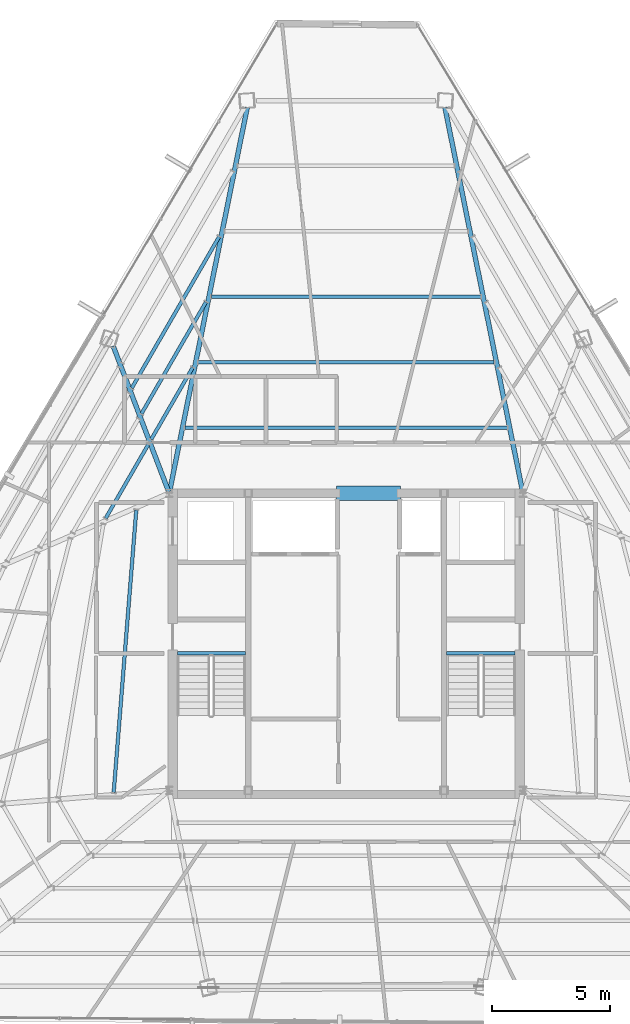
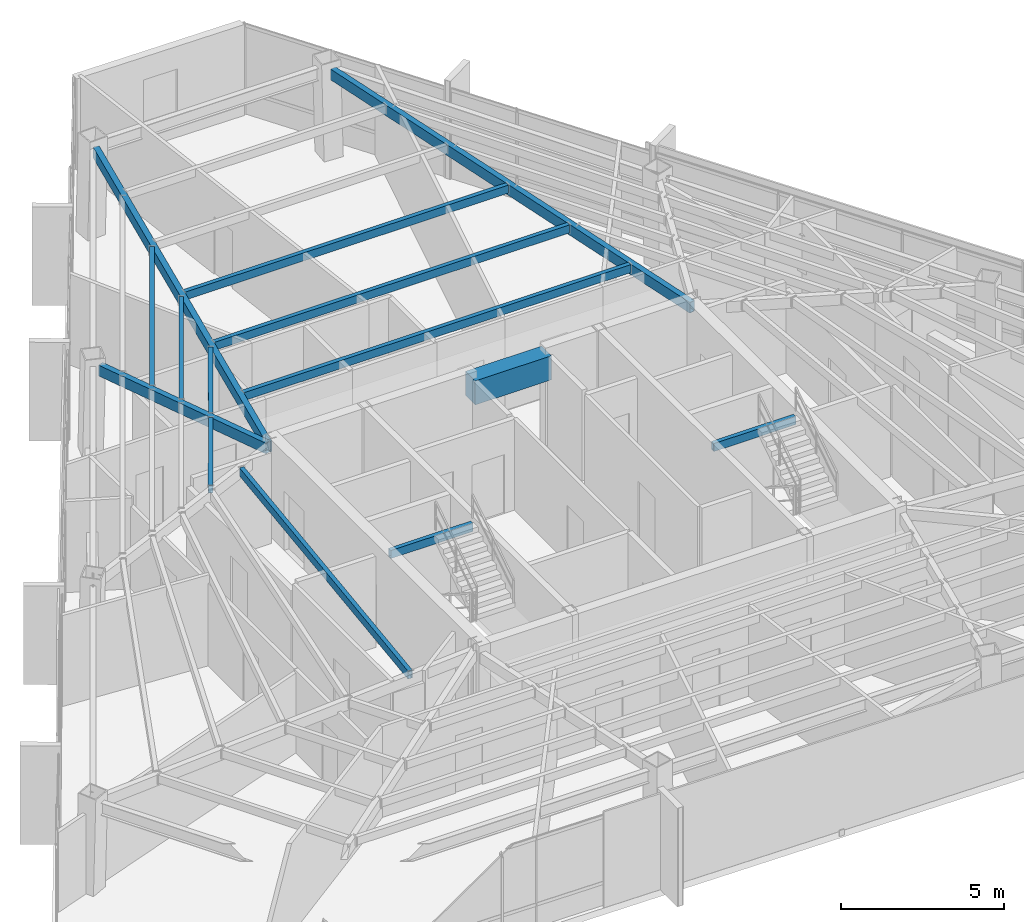
# One storey, part 18 of 45: 14 beams.
"""IFC4 building model written with IfcOpenShell, lengths in metres."""

import ifcopenshell
import ifcopenshell.guid

model = None  # the IFC model being written
_history = None  # IfcOwnerHistory: only IFC2X3 demands one
_inside = {}  # id of a spatial element -> (the spatial element, [elements in it])
_under = {}  # id of a project, library or spatial element -> (it, [spatial elements below it])
_declared = {}  # id of a project -> (the project, [libraries it declares])
_typed = {}  # id of a type object -> (the type object, [elements of that type])
_made_of = {}  # id of a material, layer set ... -> (it, [elements and type objects made of it])


def new_model(schema):
    """Start an empty IFC model of exactly this schema.

    Asked for "IFC4X3", IfcOpenShell would pick the latest addendum, in which some entities
    have other attributes; the version numbers below select the first issue.
    IFC2X3 requires an IfcOwnerHistory on every rooted entity: one is made here for all.
    """
    global model, _history
    if schema == "IFC4X3":
        model = ifcopenshell.file(schema_version=(4, 3, 0, 0))
    else:
        model = ifcopenshell.file(schema=schema)
    _inside.clear()
    _under.clear()
    _declared.clear()
    _typed.clear()
    _made_of.clear()
    _history = None
    if model.schema == "IFC2X3":
        org = make("IfcOrganization", Name="unknown")
        user = make(
            "IfcPersonAndOrganization",
            ThePerson=make("IfcPerson", FamilyName="unknown"),
            TheOrganization=org,
        )
        app = make(
            "IfcApplication",
            ApplicationDeveloper=org,
            Version="unknown",
            ApplicationFullName="unknown",
            ApplicationIdentifier="unknown",
        )
        _history = make(
            "IfcOwnerHistory",
            OwningUser=user,
            OwningApplication=app,
            ChangeAction="ADDED",
            CreationDate=0,
        )
    return model


def make(cls, **values):
    """One entity of the class cls with the attributes given. An attribute that is None is left unset."""
    return model.create_entity(
        cls, **{name: value for name, value in values.items() if value is not None}
    )


def rooted(cls, **values):
    """An entity with a GlobalId (a new one), such as an element, a storey or a relation."""
    return make(cls, GlobalId=ifcopenshell.guid.new(), OwnerHistory=_history, **values)


def si_unit(unit_type, name, prefix=None):
    """IfcSIUnit, for example si_unit("LENGTHUNIT", "METRE", prefix="MILLI")."""
    return make("IfcSIUnit", UnitType=unit_type, Prefix=prefix, Name=name)


def assignment(units):
    """IfcUnitAssignment: the units of a project."""
    return None if units is None else make("IfcUnitAssignment", Units=units)


def point(xyz):
    """IfcCartesianPoint."""
    return None if xyz is None else make("IfcCartesianPoint", Coordinates=xyz)


def direction(xyz):
    """IfcDirection."""
    return None if xyz is None else make("IfcDirection", DirectionRatios=xyz)


def frame(location, z_axis=None, x_axis=None):
    """IfcAxis2Placement3D, a coordinate frame: its origin and axes. An axis left out is left unset."""
    return make(
        "IfcAxis2Placement3D",
        Location=point(location),
        Axis=direction(z_axis),
        RefDirection=direction(x_axis),
    )


def frame_2d(location, x_axis=None):
    """IfcAxis2Placement2D, a coordinate frame in the plane: its origin and x axis."""
    return make(
        "IfcAxis2Placement2D", Location=point(location), RefDirection=direction(x_axis)
    )


def origin():
    """The frame at (0, 0, 0) with its axes left unset."""
    return frame((0.0, 0.0, 0.0))


def origin_2d():
    """The frame at (0, 0) in the plane with its x axis left unset."""
    return frame_2d((0.0, 0.0))


def place(relative_to, where):
    """IfcLocalPlacement: puts the frame where relative to a parent placement (None: the world)."""
    return make(
        "IfcLocalPlacement", PlacementRelTo=relative_to, RelativePlacement=where
    )


def context(
    kind, dimensions, precision=None, world=None, true_north=None, identifier=None
):
    """IfcGeometricRepresentationContext, for example the 3D "Model" context."""
    return make(
        "IfcGeometricRepresentationContext",
        ContextIdentifier=identifier,
        ContextType=kind,
        CoordinateSpaceDimension=dimensions,
        Precision=precision,
        WorldCoordinateSystem=world,
        TrueNorth=true_north,
    )


def subcontext(parent, identifier, kind, view, scale=None):
    """IfcGeometricRepresentationSubContext, for example "Body" below "Model"."""
    return make(
        "IfcGeometricRepresentationSubContext",
        ContextIdentifier=identifier,
        ContextType=kind,
        ParentContext=parent,
        TargetScale=scale,
        TargetView=view,
    )


def project(units=None, contexts=None):
    """IfcProject with its units and contexts."""
    return rooted(
        "IfcProject",
        Name="project",
        RepresentationContexts=contexts,
        UnitsInContext=assignment(units),
    )


def spatial(cls, under=None, at=None, **own):
    """A site, building, storey or space (cls), placed at a placement, below another one or the project."""
    s = rooted(cls, ObjectPlacement=at, **own)
    if under is not None:
        _under.setdefault(under.id(), (under, []))[1].append(s)
    return s


def profile(cls, at=None, kind="AREA", **sizes):
    """A parametric profile (cls). Its sizes go by their IFC names, for example OverallWidth=200.0."""
    return make(cls, ProfileType=kind, Position=at, **sizes)


def rectangle(**sizes):
    """IfcRectangleProfileDef."""
    return profile("IfcRectangleProfileDef", **sizes)


def hollow_rectangle(**sizes):
    """IfcRectangleHollowProfileDef."""
    return profile("IfcRectangleHollowProfileDef", **sizes)


def extrude(swept, where, along, depth):
    """IfcExtrudedAreaSolid: the profile swept, set in the frame where, extruded along a direction by depth."""
    return make(
        "IfcExtrudedAreaSolid",
        SweptArea=swept,
        Position=where,
        ExtrudedDirection=direction(along),
        Depth=depth,
    )


def shape(context_of_items, identifier, shape_type, items):
    """IfcShapeRepresentation: the items that make up one representation, for example the "Body"."""
    return make(
        "IfcShapeRepresentation",
        ContextOfItems=context_of_items,
        RepresentationIdentifier=identifier,
        RepresentationType=shape_type,
        Items=items,
    )


def source(mapping_origin, context_of_items, identifier, shape_type, items):
    """IfcRepresentationMap: a shape defined once, which mapped items show again and again."""
    return make(
        "IfcRepresentationMap",
        MappingOrigin=mapping_origin,
        MappedRepresentation=shape(context_of_items, identifier, shape_type, items),
    )


def transform(
    local_origin,
    x_axis=None,
    y_axis=None,
    z_axis=None,
    scale=None,
    scale2=None,
    scale3=None,
    uniform=True,
):
    """IfcCartesianTransformationOperator3D, or its non-uniform kind. x_axis, y_axis, z_axis: its Axis1, 2, 3."""
    if uniform:
        return make(
            "IfcCartesianTransformationOperator3D",
            Axis1=direction(x_axis),
            Axis2=direction(y_axis),
            LocalOrigin=point(local_origin),
            Scale=scale,
            Axis3=direction(z_axis),
        )
    return make(
        "IfcCartesianTransformationOperator3DnonUniform",
        Axis1=direction(x_axis),
        Axis2=direction(y_axis),
        LocalOrigin=point(local_origin),
        Scale=scale,
        Axis3=direction(z_axis),
        Scale2=scale2,
        Scale3=scale3,
    )


def mapped(mapping_source, mapping_target):
    """IfcMappedItem: shows the shape of a source again, moved by a transform."""
    return make(
        "IfcMappedItem", MappingSource=mapping_source, MappingTarget=mapping_target
    )


def material(Name=None, Category=None):
    """IfcMaterial."""
    return make("IfcMaterial", Name=Name, Category=Category)


def material_profile(
    of_material, cross_section, Name=None, Category=None, Priority=None
):
    """IfcMaterialProfile: a cross section and its material."""
    return make(
        "IfcMaterialProfile",
        Name=Name,
        Material=of_material,
        Profile=cross_section,
        Priority=Priority,
        Category=Category,
    )


def profile_set(profiles, Name=None, composite=None):
    """IfcMaterialProfileSet."""
    return make(
        "IfcMaterialProfileSet",
        Name=Name,
        MaterialProfiles=profiles,
        CompositeProfile=composite,
    )


def made_of(thing, what):
    """Note that an element or type object is made of a material, layer set ...; save() writes the relation."""
    if what is not None:
        _made_of.setdefault(what.id(), (what, []))[1].append(thing)
    return thing


def type_object(cls, material=None, **own):
    """A type object (cls), such as IfcWallType, which elements share."""
    return made_of(rooted(cls, **own), material)


def type_shapes(of_type, sources):
    """Give a type object the sources (RepresentationMaps) that its elements show as mapped items."""
    of_type.RepresentationMaps = sources


def element(
    cls,
    number,
    at=None,
    inside=None,
    cuts=None,
    type_object=None,
    material=None,
    context=None,
    identifier="Body",
    shape_type=None,
    held_by="IfcProductDefinitionShape",
    body=None,
    shapes=None,
    **own,
):
    """One element of the class cls, such as IfcWall. Its Tag is "e" and its number.

    at: its placement. inside: the storey or other place that contains it. cuts: it is an
    opening in that element (IfcRelVoidsElement). A single representation is given by context,
    identifier, shape_type and body (its items); several are given by shapes. held_by: the class
    of the entity that holds the representations. save() writes the other relations.
    """
    e = rooted(cls, Tag="e%d" % number, ObjectPlacement=at, **own)
    if body is not None:
        shapes = [shape(context, identifier, shape_type, body)]
    if shapes is not None:
        e.Representation = make(held_by, Representations=shapes)
    if inside is not None:
        _inside.setdefault(inside.id(), (inside, []))[1].append(e)
    if cuts is not None:
        rooted(
            "IfcRelVoidsElement", RelatingBuildingElement=cuts, RelatedOpeningElement=e
        )
    if type_object is not None:
        _typed.setdefault(type_object.id(), (type_object, []))[1].append(e)
    return made_of(e, material)


def aggregate(whole, parts):
    """IfcRelAggregates: a whole, such as a stair, and the parts it consists of."""
    return rooted("IfcRelAggregates", RelatingObject=whole, RelatedObjects=parts)


def save(model, path):
    """Write the relations noted so far, then the file.

    IfcRelAggregates (storeys below a building ...), IfcRelContainedInSpatialStructure (elements
    in a storey), IfcRelDefinesByType, IfcRelAssociatesMaterial and IfcRelDeclares: one each for
    every whole, place, type object, material and project.
    """
    for whole, parts in _under.values():
        aggregate(whole, parts)
    for where, things in _inside.values():
        rooted(
            "IfcRelContainedInSpatialStructure",
            RelatedElements=things,
            RelatingStructure=where,
        )
    for kind, things in _typed.values():
        rooted("IfcRelDefinesByType", RelatedObjects=things, RelatingType=kind)
    for what, things in _made_of.values():
        rooted("IfcRelAssociatesMaterial", RelatedObjects=things, RelatingMaterial=what)
    for by, libraries in _declared.values():
        rooted("IfcRelDeclares", RelatingContext=by, RelatedDefinitions=libraries)
    model.write(path)


model = new_model("IFC4")

# Units and contexts
model_context = context("Model", 3, precision=1e-05, world=origin(), true_north=direction((0.0, 1.0)))
body_context = subcontext(model_context, "Body", "Model", "MODEL_VIEW")
ifc_project = project(units=[si_unit("LENGTHUNIT", "METRE"), si_unit("AREAUNIT", "SQUARE_METRE"), si_unit("VOLUMEUNIT", "CUBIC_METRE"), si_unit("PLANEANGLEUNIT", "RADIAN"), si_unit("MASSUNIT", "GRAM", prefix="KILO")], contexts=[model_context])

# Site, building, storey
site_placement = place(None, origin())
site = spatial("IfcSite", under=ifc_project, at=site_placement, CompositionType="ELEMENT")
building_placement = place(site_placement, origin())
building = spatial("IfcBuilding", under=site, at=building_placement, Name="Caelisora Broadcast Tower", CompositionType="ELEMENT")
storey_placement = place(building_placement, frame((0.0, 0.0, 240.800048828125)))
storey = spatial("IfcBuildingStorey", under=building, at=storey_placement, Name="L63", CompositionType="ELEMENT", Elevation=240.800048828125)

# Beams
ifc_material_1 = material(Name="Steel Grade 350 (AS/NZS 1163 C350L0)", Category="steel")
ifc_material_profile_1 = material_profile(ifc_material_1, hollow_rectangle(XDim=0.14990234375, YDim=0.300048828125, WallThickness=0.010009765625, at=origin_2d()), Name="Steel Grade 350 (AS/NZS 1163 C350L0)")
ifc_profile_set_1 = profile_set([ifc_material_profile_1], Name="Steel Grade 350 (AS/NZS 1163 C350L0)")
beam_type_1 = type_object("IfcBeamType", Name="SB05", PredefinedType="JOIST", material=ifc_profile_set_1)
shared_shape_1 = source(origin(), body_context, "Body", "SweptSolid", [
    extrude(hollow_rectangle(XDim=0.14990234375, YDim=0.300048828125, WallThickness=0.010009765625, at=origin_2d()), origin(), (0.0, 0.0, 1.0), 2.89990234375),
])
for number, where, z_axis, x_axis, name in (
    (1, (30.840087890625, 23.219970703125, 3.25), (1.0, 0.0, 0.0), (0.0, 1.0, 0.0), "L63 beam SB05"),
    (2, (42.260009765625, 23.219970703125, 3.25), (1.0, 0.0, 0.0), (0.0, 1.0, 0.0), "L63 beam SB05"),
):
    element("IfcBeam", number, at=place(storey_placement, frame(where, z_axis=z_axis, x_axis=x_axis)), inside=storey, type_object=beam_type_1, Name=name, PredefinedType="JOIST", context=body_context, shape_type="MappedRepresentation", body=[
        mapped(shared_shape_1, transform((0.0, 0.0, 0.0), scale=1.0)),
    ])
ifc_material_2 = material(Name="Concrete 50 MPa (AS 3600 S50)", Category="concrete")
ifc_material_profile_2 = material_profile(ifc_material_2, rectangle(XDim=0.60009765625, YDim=0.89990234375, at=origin_2d()), Name="Concrete 50 MPa (AS 3600 S50)")
ifc_profile_set_2 = profile_set([ifc_material_profile_2], Name="Concrete 50 MPa (AS 3600 S50)")
beam_type_2 = type_object("IfcBeamType", Name="CB02", PredefinedType="LINTEL", material=ifc_profile_set_2)
shared_shape_2 = source(origin(), body_context, "Body", "SweptSolid", [
    extrude(rectangle(XDim=0.60009765625, YDim=0.89990234375, at=origin_2d()), origin(), (0.0, 0.0, 1.0), 2.699951171875),
])
type_shapes(beam_type_2, [shared_shape_2])
beam_1_placement = place(storey_placement, frame((37.60009765625, 30.0, 2.949951171875), z_axis=(1.0, 0.0, 0.0), x_axis=(0.0, 1.0, 0.0)))
element("IfcBeam", 3, at=beam_1_placement, inside=storey, type_object=beam_type_2, Name="L63 beam CB02", PredefinedType="LINTEL", context=body_context, shape_type="MappedRepresentation", body=[
    mapped(shared_shape_2, transform((0.0, 0.0, 0.0), scale=1.0)),
])
ifc_material_profile_3 = material_profile(ifc_material_1, hollow_rectangle(XDim=0.199951171875, YDim=0.39990234375, WallThickness=0.012451171875, at=origin_2d()), Name="Steel Grade 350 (AS/NZS 1163 C350L0)")
ifc_profile_set_3 = profile_set([ifc_material_profile_3], Name="Steel Grade 350 (AS/NZS 1163 C350L0)")
beam_type_3 = type_object("IfcBeamType", Name="PG07", PredefinedType="BEAM", material=ifc_profile_set_3)
shared_shape_3 = source(origin(), body_context, "Body", "SweptSolid", [
    extrude(hollow_rectangle(XDim=0.199951171875, YDim=0.39990234375, WallThickness=0.012451171875, at=origin_2d()), origin(), (0.0, 0.0, 1.0), 16.6328125),
])
for number, where, z_axis, x_axis, name in (
    (4, (45.488037109375, 30.058837890625, 3.199951171875), (-0.19824401482, 0.980152697588, 0.0), (-0.980152697588, -0.19824401482, 0.0), "L63 beam PG07"),
    (5, (30.511962890625, 30.058837890625, 3.199951171875), (0.19824401482, 0.980152697588, 0.0), (-0.980152697588, 0.19824401482, 0.0), "L63 beam PG07"),
):
    element("IfcBeam", number, at=place(storey_placement, frame(where, z_axis=z_axis, x_axis=x_axis)), inside=storey, type_object=beam_type_3, Name=name, PredefinedType="BEAM", context=body_context, shape_type="MappedRepresentation", body=[
        mapped(shared_shape_3, transform((0.0, 0.0, 0.0), scale=1.0)),
    ])
shared_shape_4 = source(origin(), body_context, "Body", "SweptSolid", [
    extrude(hollow_rectangle(XDim=0.199951171875, YDim=0.39990234375, WallThickness=0.012451171875, at=origin_2d()), origin(), (0.0, 0.0, 1.0), 6.617919921875),
])
type_shapes(beam_type_3, [shared_shape_3, shared_shape_4])
beam_2_placement = place(storey_placement, frame((30.478515625, 30.05615234375, 3.199951171875), z_axis=(-0.355844985395, 0.934544994299, 0.0), x_axis=(-0.934544994299, -0.355844985395, 0.0)))
element("IfcBeam", 6, at=beam_2_placement, inside=storey, type_object=beam_type_3, Name="L63 beam PG07", PredefinedType="BEAM", context=body_context, shape_type="MappedRepresentation", body=[
    mapped(shared_shape_4, transform((0.0, 0.0, 0.0), scale=1.0)),
])
shared_shape_5 = source(origin(), body_context, "Body", "SweptSolid", [
    extrude(hollow_rectangle(XDim=0.14990234375, YDim=0.300048828125, WallThickness=0.010009765625, at=origin_2d()), origin(), (0.0, 0.0, 1.0), 13.67919921875),
])
beam_3_placement = place(storey_placement, frame((44.839599609375, 32.775634765625, 3.25), z_axis=(-1.0, 0.0, 0.0), x_axis=(0.0, -1.0, 0.0)))
element("IfcBeam", 7, at=beam_3_placement, inside=storey, type_object=beam_type_1, Name="L63 beam SB05", PredefinedType="JOIST", context=body_context, shape_type="MappedRepresentation", body=[
    mapped(shared_shape_5, transform((0.0, 0.0, 0.0), scale=1.0)),
])
shared_shape_6 = source(origin(), body_context, "Body", "SweptSolid", [
    extrude(hollow_rectangle(XDim=0.14990234375, YDim=0.300048828125, WallThickness=0.010009765625, at=origin_2d()), origin(), (0.0, 0.0, 1.0), 12.556640625),
])
beam_4_placement = place(storey_placement, frame((44.2783203125, 35.55126953125, 3.25), z_axis=(-1.0, 0.0, 0.0), x_axis=(0.0, -1.0, 0.0)))
element("IfcBeam", 8, at=beam_4_placement, inside=storey, type_object=beam_type_1, Name="L63 beam SB05", PredefinedType="JOIST", context=body_context, shape_type="MappedRepresentation", body=[
    mapped(shared_shape_6, transform((0.0, 0.0, 0.0), scale=1.0)),
])
shared_shape_7 = source(origin(), body_context, "Body", "SweptSolid", [
    extrude(hollow_rectangle(XDim=0.14990234375, YDim=0.300048828125, WallThickness=0.010009765625, at=origin_2d()), origin(), (0.0, 0.0, 1.0), 11.43359375),
])
beam_5_placement = place(storey_placement, frame((43.716796875, 38.326904296875, 3.25), z_axis=(-1.0, 0.0, 0.0), x_axis=(0.0, -1.0, 0.0)))
element("IfcBeam", 9, at=beam_5_placement, inside=storey, type_object=beam_type_1, Name="L63 beam SB05", PredefinedType="JOIST", context=body_context, shape_type="MappedRepresentation", body=[
    mapped(shared_shape_7, transform((0.0, 0.0, 0.0), scale=1.0)),
])
shared_shape_8 = source(origin(), body_context, "Body", "SweptSolid", [
    extrude(hollow_rectangle(XDim=0.14990234375, YDim=0.300048828125, WallThickness=0.010009765625, at=origin_2d()), origin(), (0.0, 0.0, 1.0), 3.514404296875),
])
beam_6_placement = place(storey_placement, frame((31.49267578125, 35.325927734375, 3.25), z_axis=(-0.499956974429, -0.866050243185, 0.0), x_axis=(0.866050243185, -0.499956974429, 0.0)))
element("IfcBeam", 10, at=beam_6_placement, inside=storey, type_object=beam_type_1, Name="L63 beam SB05", PredefinedType="JOIST", context=body_context, shape_type="MappedRepresentation", body=[
    mapped(shared_shape_8, transform((0.0, 0.0, 0.0), scale=1.0)),
])
shared_shape_9 = source(origin(), body_context, "Body", "SweptSolid", [
    extrude(hollow_rectangle(XDim=0.14990234375, YDim=0.300048828125, WallThickness=0.010009765625, at=origin_2d()), origin(), (0.0, 0.0, 1.0), 5.46484375),
])
beam_7_placement = place(storey_placement, frame((32.05419921875, 38.1015625, 3.25), z_axis=(-0.500002178967, -0.866024145754, 0.0), x_axis=(0.866024145754, -0.500002178967, 0.0)))
element("IfcBeam", 11, at=beam_7_placement, inside=storey, type_object=beam_type_1, Name="L63 beam SB05", PredefinedType="JOIST", context=body_context, shape_type="MappedRepresentation", body=[
    mapped(shared_shape_9, transform((0.0, 0.0, 0.0), scale=1.0)),
])
shared_shape_10 = source(origin(), body_context, "Body", "SweptSolid", [
    extrude(hollow_rectangle(XDim=0.14990234375, YDim=0.300048828125, WallThickness=0.010009765625, at=origin_2d()), origin(), (0.0, 0.0, 1.0), 7.4150390625),
])
beam_8_placement = place(storey_placement, frame((32.615478515625, 40.877197265625, 3.25), z_axis=(-0.499974215864, -0.866040289751, 0.0), x_axis=(0.866040289751, -0.499974215864, 0.0)))
element("IfcBeam", 12, at=beam_8_placement, inside=storey, type_object=beam_type_1, Name="L63 beam SB05", PredefinedType="JOIST", context=body_context, shape_type="MappedRepresentation", body=[
    mapped(shared_shape_10, transform((0.0, 0.0, 0.0), scale=1.0)),
])
shared_shape_11 = source(origin(), body_context, "Body", "SweptSolid", [
    extrude(hollow_rectangle(XDim=0.14990234375, YDim=0.300048828125, WallThickness=0.010009765625, at=origin_2d()), origin(), (0.0, 0.0, 1.0), 3.609619140625),
])
beam_9_placement = place(storey_placement, frame((29.609619140625, 32.06396484375, 3.25), z_axis=(-0.500030798617, -0.866007621465, 0.0), x_axis=(0.866007621465, -0.500030798617, 0.0)))
element("IfcBeam", 13, at=beam_9_placement, inside=storey, type_object=beam_type_1, Name="L63 beam SB05", PredefinedType="JOIST", context=body_context, shape_type="MappedRepresentation", body=[
    mapped(shared_shape_11, transform((0.0, 0.0, 0.0), scale=1.0)),
])
shared_shape_12 = source(origin(), body_context, "Body", "SweptSolid", [
    extrude(hollow_rectangle(XDim=0.14990234375, YDim=0.300048828125, WallThickness=0.010009765625, at=origin_2d()), origin(), (0.0, 0.0, 1.0), 12.01953125),
])
type_shapes(beam_type_1, [shared_shape_1, shared_shape_5, shared_shape_6, shared_shape_7, shared_shape_8, shared_shape_9, shared_shape_10, shared_shape_11, shared_shape_12])
beam_10_placement = place(storey_placement, frame((29.102294921875, 29.28759765625, 3.25), z_axis=(-0.079745222283, -0.996815278536, 0.0), x_axis=(0.996815278536, -0.079745222283, 0.0)))
element("IfcBeam", 14, at=beam_10_placement, inside=storey, type_object=beam_type_1, Name="L63 beam SB05", PredefinedType="JOIST", context=body_context, shape_type="MappedRepresentation", body=[
    mapped(shared_shape_12, transform((0.0, 0.0, 0.0), scale=1.0)),
])

save(model, "model.ifc")
